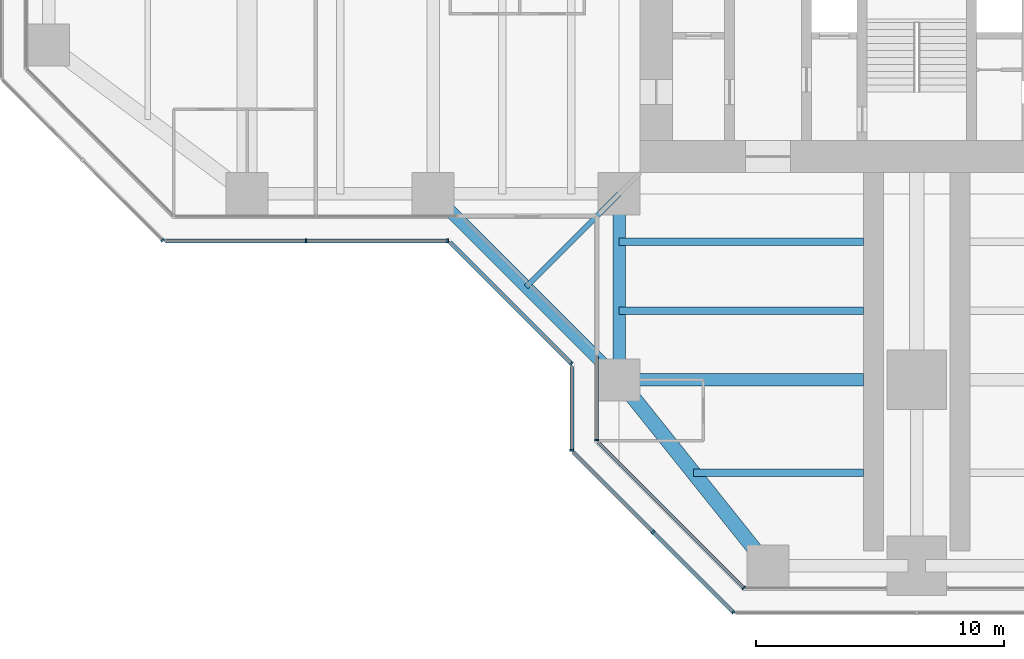
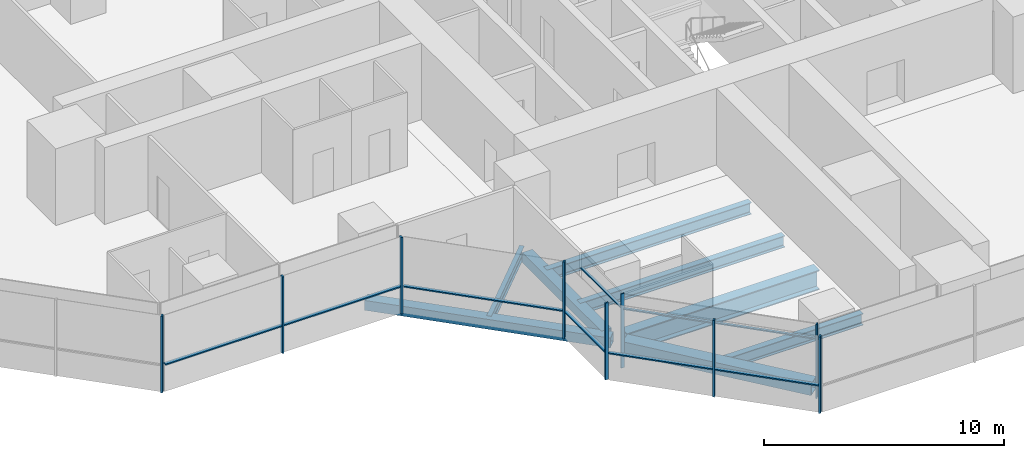
# One storey, part 2 of 20: 17 members, 8 beams, 7 elements without a shape of their own.
"""IFC4 building model written with IfcOpenShell, lengths in metres."""

from ifc_helpers import new_model, si_unit, direction, frame, origin, origin_2d, place, context, subcontext, project, spatial, rectangle, hollow_rectangle, i_section, extrude, material, material_profile, profile_set, type_object, element, aggregate, save


model = new_model("IFC4")

# Units and contexts
model_context = context("Model", 3, precision=1e-05, world=origin(), true_north=direction((0.0, 1.0)))
body_context = subcontext(model_context, "Body", "Model", "MODEL_VIEW")
ifc_project = project(units=[si_unit("LENGTHUNIT", "METRE"), si_unit("AREAUNIT", "SQUARE_METRE"), si_unit("VOLUMEUNIT", "CUBIC_METRE"), si_unit("PLANEANGLEUNIT", "RADIAN"), si_unit("MASSUNIT", "GRAM", prefix="KILO")], contexts=[model_context])

# Site, building, storey
site_placement = place(None, origin())
site = spatial("IfcSite", under=ifc_project, at=site_placement, CompositionType="ELEMENT")
building_placement = place(site_placement, origin())
building = spatial("IfcBuilding", under=site, at=building_placement, Name="Mizan Broadcast Tower", CompositionType="ELEMENT")
storey_placement = place(building_placement, frame((0.0, 0.0, 139.800048828125)))
storey = spatial("IfcBuildingStorey", under=building, at=storey_placement, Name="L31", CompositionType="ELEMENT", Elevation=139.800048828125)

# Beams
ifc_material_1 = material(Name="Steel S355", Category="steel")
ifc_material_profile_1 = material_profile(ifc_material_1, hollow_rectangle(XDim=0.5, YDim=0.5, WallThickness=0.030029296875, at=origin_2d()), Name="BOX 500x500x30")
ifc_profile_set_1 = profile_set([ifc_material_profile_1], Name="Steel S355")
beam_type_1 = type_object("IfcBeamType", Name="EDGE BEAM BOX 500x500x30", PredefinedType="SPANDREL", material=ifc_profile_set_1)
beam_1_placement = place(storey_placement, frame((-12.0, -12.449951171875, -0.380126953125), z_axis=(0.0, -1.0, 0.0), x_axis=(1.0, 0.0, 0.0)))
element("IfcBeam", 1, at=beam_1_placement, inside=storey, type_object=beam_type_1, Name="Edge beam BOX 500x500x30 L31 south arm", PredefinedType="SPANDREL", context=body_context, shape_type="SweptSolid", body=[
    extrude(hollow_rectangle(XDim=0.5, YDim=0.5, WallThickness=0.030029296875, at=origin_2d()), origin(), (0.0, 0.0, 1.0), 6.60009765625),
])
beam_2_placement = place(storey_placement, frame((-19.5, -12.0, -0.380126953125), z_axis=(0.707106781187, -0.707106781187, 0.0), x_axis=(0.707106781187, 0.707106781187, 0.0)))
element("IfcBeam", 2, at=beam_2_placement, inside=storey, type_object=beam_type_1, Name="Winter garden edge beam L31 W", PredefinedType="SPANDREL", context=body_context, shape_type="SweptSolid", body=[
    extrude(hollow_rectangle(XDim=0.5, YDim=0.5, WallThickness=0.030029296875, at=origin_2d()), origin(), (0.0, 0.0, 1.0), 10.606689453125),
])
ifc_material_2 = material(Name="Steel S355", Category="steel")
ifc_material_profile_2 = material_profile(ifc_material_2, hollow_rectangle(XDim=0.60009765625, YDim=0.60009765625, WallThickness=0.030029296875, at=origin_2d()), Name="BOX 600x600x30")
ifc_profile_set_2 = profile_set([ifc_material_profile_2], Name="Steel S355")
beam_type_2 = type_object("IfcBeamType", Name="EDGE BEAM BOX 600x600x30", PredefinedType="SPANDREL", material=ifc_profile_set_2)
beam_3_placement = place(storey_placement, frame((-11.639892578125, -19.949951171875, -0.429931640625), z_axis=(0.624673911726, -0.780885717636, 0.0), x_axis=(0.780885717636, 0.624673911726, 0.0)))
element("IfcBeam", 3, at=beam_3_placement, inside=storey, type_object=beam_type_2, Name="Edge beam BOX 600x600x30 L31 south arm", PredefinedType="SPANDREL", context=body_context, shape_type="SweptSolid", body=[
    extrude(hollow_rectangle(XDim=0.60009765625, YDim=0.60009765625, WallThickness=0.030029296875, at=origin_2d()), origin(), (0.0, 0.0, 1.0), 8.4521484375),
])
ifc_material_3 = material(Name="Steel S460", Category="steel")
ifc_material_profile_3 = material_profile(ifc_material_3, i_section(OverallWidth=0.5, OverallDepth=1.0, WebThickness=0.02490234375, FlangeThickness=0.050048828125, at=origin_2d()), Name="WPG 1000x500")
ifc_profile_set_3 = profile_set([ifc_material_profile_3], Name="Steel S460")
beam_type_3 = type_object("IfcBeamType", Name="GIRDER WPG 1000x500", PredefinedType="BEAM", material=ifc_profile_set_3)
beam_4_placement = place(storey_placement, frame((-11.408935546875, -19.5, -0.630126953125), z_axis=(1.0, 0.0, 0.0), x_axis=(0.0, 1.0, 0.0)))
element("IfcBeam", 4, at=beam_4_placement, inside=storey, type_object=beam_type_3, Name="Girder WPG 1000x500 L31 south arm", PredefinedType="BEAM", context=body_context, shape_type="SweptSolid", body=[
    extrude(i_section(OverallWidth=0.5, OverallDepth=1.0, WebThickness=0.02490234375, FlangeThickness=0.050048828125, at=origin_2d()), origin(), (0.0, 0.0, 1.0), 9.259033203125),
])

# Curtain wall, member
ifc_material_4 = material(Name="Aluminium framed glazing", Category="aluminium")
curtain_wall_type_1 = type_object("IfcCurtainWallType", Name="INNER SKIN MID ZONE", PredefinedType="USERDEFINED", material=ifc_material_4)
curtain_wall_1_placement = place(storey_placement, origin())
curtain_wall_1 = element("IfcCurtainWall", 5, at=curtain_wall_1_placement, inside=storey, type_object=curtain_wall_type_1, Name="Inner skin mid zone L31 S side", ObjectType="INNER SKIN MID ZONE", PredefinedType="USERDEFINED")
ifc_material_5 = material(Name="Aluminium, pale anodised", Category="aluminium")
ifc_material_profile_4 = material_profile(ifc_material_5, rectangle(XDim=0.159912109375, YDim=0.06005859375, at=origin_2d()), Name="MULLION 160x60")
ifc_profile_set_4 = profile_set([ifc_material_profile_4], Name="Aluminium, pale anodised")
member_type_1 = type_object("IfcMemberType", Name="INNER SKIN MULLION 60x160", PredefinedType="MULLION", material=ifc_profile_set_4)
member_1_placement = place(storey_placement, frame((-12.89990234375, -21.928466796875, 0.0), z_axis=(0.0, 0.0, 1.0), x_axis=(1.0, 0.0, 0.0)))
member_1 = element("IfcMember", 6, at=member_1_placement, type_object=member_type_1, Name="Inner skin mid zone L31 S side mullion 2", PredefinedType="MULLION", context=body_context, shape_type="SweptSolid", body=[
    extrude(rectangle(XDim=0.159912109375, YDim=0.06005859375, at=origin_2d()), origin(), (0.0, 0.0, 1.0), 3.77001953125),
])

curtain_wall_2_placement = place(storey_placement, origin())
curtain_wall_2 = element("IfcCurtainWall", 7, at=curtain_wall_2_placement, inside=storey, type_object=curtain_wall_type_1, Name="Inner skin mid zone L31 S chamfer", ObjectType="INNER SKIN MID ZONE", PredefinedType="USERDEFINED")
member_2_placement = place(storey_placement, frame((-6.979736328125, -27.87890625, 0.0), z_axis=(0.0, 0.0, 1.0), x_axis=(0.707106781187, 0.707106781187, 0.0)))
member_2 = element("IfcMember", 8, at=member_2_placement, type_object=member_type_1, Name="Inner skin mid zone L31 S chamfer mullion 2", PredefinedType="MULLION", context=body_context, shape_type="SweptSolid", body=[
    extrude(rectangle(XDim=0.159912109375, YDim=0.06005859375, at=origin_2d()), origin(), (0.0, 0.0, 1.0), 3.77001953125),
])

# Member
ifc_material_6 = material(Name="Aluminium, pale anodised", Category="aluminium")
ifc_material_profile_5 = material_profile(ifc_material_6, rectangle(XDim=0.1201171875, YDim=0.06005859375, at=origin_2d()), Name="TRANSOM 120x60")
ifc_profile_set_5 = profile_set([ifc_material_profile_5], Name="Aluminium, pale anodised")
member_type_2 = type_object("IfcMemberType", Name="INNER SKIN TRANSOM 60x120", PredefinedType="USERDEFINED", material=ifc_profile_set_5)
member_3_placement = place(storey_placement, frame((-12.89990234375, -18.56005859375, 3.030029296875), z_axis=(0.0, -1.0, 0.0), x_axis=(1.0, 0.0, 0.0)))
member_3 = element("IfcMember", 9, at=member_3_placement, type_object=member_type_2, Name="Inner skin mid zone L31 S side transom 1.1", ObjectType="TRANSOM", PredefinedType="USERDEFINED", context=body_context, shape_type="SweptSolid", body=[
    extrude(rectangle(XDim=0.1201171875, YDim=0.06005859375, at=origin_2d()), origin(), (0.0, 0.0, 1.0), 3.338623046875),
])

aggregate(curtain_wall_1, [member_1, member_3])

member_4_placement = place(storey_placement, frame((-12.857666015625, -22.0009765625, 3.030029296875), z_axis=(0.707106781187, -0.707106781187, 0.0), x_axis=(0.707106781187, 0.707106781187, 0.0)))
member_4 = element("IfcMember", 10, at=member_4_placement, type_object=member_type_2, Name="Inner skin mid zone L31 S chamfer transom 1.1", ObjectType="TRANSOM", PredefinedType="USERDEFINED", context=body_context, shape_type="SweptSolid", body=[
    extrude(rectangle(XDim=0.1201171875, YDim=0.06005859375, at=origin_2d()), origin(), (0.0, 0.0, 1.0), 8.28271484375),
])

aggregate(curtain_wall_2, [member_2, member_4])

# Curtain wall, member
ifc_material_7 = material(Name="Aluminium framed glazing", Category="aluminium")
curtain_wall_type_2 = type_object("IfcCurtainWallType", Name="OUTER SKIN", PredefinedType="USERDEFINED", material=ifc_material_7)
curtain_wall_3_placement = place(storey_placement, origin())
curtain_wall_3 = element("IfcCurtainWall", 11, at=curtain_wall_3_placement, inside=storey, type_object=curtain_wall_type_2, Name="Outer skin L31 W chamfer", ObjectType="OUTER SKIN", PredefinedType="USERDEFINED")
ifc_material_8 = material(Name="Aluminium, pale anodised", Category="aluminium")
ifc_material_profile_6 = material_profile(ifc_material_8, rectangle(XDim=0.159912109375, YDim=0.080078125, at=origin_2d()), Name="MULLION 160x80")
ifc_profile_set_6 = profile_set([ifc_material_profile_6], Name="Aluminium, pale anodised")
member_type_3 = type_object("IfcMemberType", Name="OUTER SKIN MULLION 80x160", PredefinedType="MULLION", material=ifc_profile_set_6)
member_5_placement = place(storey_placement, frame((-30.401123046875, -13.871826171875, 0.0), z_axis=(0.0, 0.0, 1.0), x_axis=(0.707106781187, 0.707106781187, 0.0)))
member_5 = element("IfcMember", 12, at=member_5_placement, type_object=member_type_3, Name="Outer skin L31 W chamfer mullion 3", PredefinedType="MULLION", context=body_context, shape_type="SweptSolid", body=[
    extrude(rectangle(XDim=0.159912109375, YDim=0.080078125, at=origin_2d()), origin(), (0.0, 0.0, 1.0), 3.89990234375),
])
aggregate(curtain_wall_3, [member_5])

# Curtain wall, members
curtain_wall_4_placement = place(storey_placement, origin())
curtain_wall_4 = element("IfcCurtainWall", 13, at=curtain_wall_4_placement, inside=storey, type_object=curtain_wall_type_2, Name="Outer skin L31 W side", ObjectType="OUTER SKIN", PredefinedType="USERDEFINED")
member_6_placement = place(storey_placement, frame((-24.622802734375, -13.89990234375, 0.0), z_axis=(0.0, 0.0, 1.0), x_axis=(0.0, 1.0, 0.0)))
member_6 = element("IfcMember", 14, at=member_6_placement, type_object=member_type_3, Name="Outer skin L31 W side mullion 2", PredefinedType="MULLION", context=body_context, shape_type="SweptSolid", body=[
    extrude(rectangle(XDim=0.159912109375, YDim=0.080078125, at=origin_2d()), origin(), (0.0, 0.0, 1.0), 3.89990234375),
])
member_7_placement = place(storey_placement, frame((-18.912841796875, -13.89990234375, 0.0), z_axis=(0.0, 0.0, 1.0), x_axis=(0.0, 1.0, 0.0)))
member_7 = element("IfcMember", 15, at=member_7_placement, type_object=member_type_3, Name="Outer skin L31 W side mullion 3", PredefinedType="MULLION", context=body_context, shape_type="SweptSolid", body=[
    extrude(rectangle(XDim=0.159912109375, YDim=0.080078125, at=origin_2d()), origin(), (0.0, 0.0, 1.0), 3.89990234375),
])

# Curtain wall, member
curtain_wall_5_placement = place(storey_placement, origin())
curtain_wall_5 = element("IfcCurtainWall", 16, at=curtain_wall_5_placement, inside=storey, type_object=curtain_wall_type_2, Name="Outer skin L31 W chamfer", ObjectType="OUTER SKIN", PredefinedType="USERDEFINED")
member_8_placement = place(storey_placement, frame((-13.92822265625, -18.844482421875, 0.0), z_axis=(0.0, 0.0, 1.0), x_axis=(0.707106781187, 0.707106781187, 0.0)))
member_8 = element("IfcMember", 17, at=member_8_placement, type_object=member_type_3, Name="Outer skin L31 W chamfer mullion 2", PredefinedType="MULLION", context=body_context, shape_type="SweptSolid", body=[
    extrude(rectangle(XDim=0.159912109375, YDim=0.080078125, at=origin_2d()), origin(), (0.0, 0.0, 1.0), 3.89990234375),
])

curtain_wall_6_placement = place(storey_placement, origin())
curtain_wall_6 = element("IfcCurtainWall", 18, at=curtain_wall_6_placement, inside=storey, type_object=curtain_wall_type_2, Name="Outer skin L31 S side", ObjectType="OUTER SKIN", PredefinedType="USERDEFINED")
member_9_placement = place(storey_placement, frame((-13.89990234375, -22.332763671875, 0.0), z_axis=(0.0, 0.0, 1.0), x_axis=(1.0, 0.0, 0.0)))
member_9 = element("IfcMember", 19, at=member_9_placement, type_object=member_type_3, Name="Outer skin L31 S side mullion 2", PredefinedType="MULLION", context=body_context, shape_type="SweptSolid", body=[
    extrude(rectangle(XDim=0.159912109375, YDim=0.080078125, at=origin_2d()), origin(), (0.0, 0.0, 1.0), 3.89990234375),
])

# Curtain wall, members
curtain_wall_7_placement = place(storey_placement, origin())
curtain_wall_7 = element("IfcCurtainWall", 20, at=curtain_wall_7_placement, inside=storey, type_object=curtain_wall_type_2, Name="Outer skin L31 S chamfer", ObjectType="OUTER SKIN", PredefinedType="USERDEFINED")
member_10_placement = place(storey_placement, frame((-10.636474609375, -25.636474609375, 0.0), z_axis=(0.0, 0.0, 1.0), x_axis=(0.707106781187, 0.707106781187, 0.0)))
member_10 = element("IfcMember", 21, at=member_10_placement, type_object=member_type_3, Name="Outer skin L31 S chamfer mullion 2", PredefinedType="MULLION", context=body_context, shape_type="SweptSolid", body=[
    extrude(rectangle(XDim=0.159912109375, YDim=0.080078125, at=origin_2d()), origin(), (0.0, 0.0, 1.0), 3.89990234375),
])
member_11_placement = place(storey_placement, frame((-7.401123046875, -28.871826171875, 0.0), z_axis=(0.0, 0.0, 1.0), x_axis=(0.707106781187, 0.707106781187, 0.0)))
member_11 = element("IfcMember", 22, at=member_11_placement, type_object=member_type_3, Name="Outer skin L31 S chamfer mullion 3", PredefinedType="MULLION", context=body_context, shape_type="SweptSolid", body=[
    extrude(rectangle(XDim=0.159912109375, YDim=0.080078125, at=origin_2d()), origin(), (0.0, 0.0, 1.0), 3.89990234375),
])

# Member
ifc_material_9 = material(Name="Aluminium, pale anodised", Category="aluminium")
ifc_material_profile_7 = material_profile(ifc_material_9, rectangle(XDim=0.159912109375, YDim=0.06005859375, at=origin_2d()), Name="TRANSOM 160x60")
ifc_profile_set_7 = profile_set([ifc_material_profile_7], Name="Aluminium, pale anodised")
member_type_4 = type_object("IfcMemberType", Name="OUTER SKIN TRANSOM 60x160", PredefinedType="USERDEFINED", material=ifc_profile_set_7)
member_12_placement = place(storey_placement, frame((-30.292724609375, -13.89990234375, 1.39990234375), z_axis=(1.0, 0.0, 0.0), x_axis=(0.0, 1.0, 0.0)))
member_12 = element("IfcMember", 23, at=member_12_placement, type_object=member_type_4, Name="Outer skin L31 W side transom 1.1", ObjectType="TRANSOM", PredefinedType="USERDEFINED", context=body_context, shape_type="SweptSolid", body=[
    extrude(rectangle(XDim=0.159912109375, YDim=0.06005859375, at=origin_2d()), origin(), (0.0, 0.0, 1.0), 5.6298828125),
])

member_13_placement = place(storey_placement, frame((-24.582763671875, -13.89990234375, 1.39990234375), z_axis=(1.0, 0.0, 0.0), x_axis=(0.0, 1.0, 0.0)))
member_13 = element("IfcMember", 24, at=member_13_placement, type_object=member_type_4, Name="Outer skin L31 W side transom 2.1", ObjectType="TRANSOM", PredefinedType="USERDEFINED", context=body_context, shape_type="SweptSolid", body=[
    extrude(rectangle(XDim=0.159912109375, YDim=0.06005859375, at=origin_2d()), origin(), (0.0, 0.0, 1.0), 5.6298828125),
])

aggregate(curtain_wall_4, [member_6, member_7, member_12, member_13])

member_14_placement = place(storey_placement, frame((-18.816162109375, -13.95654296875, 1.39990234375), z_axis=(0.707106781187, -0.707106781187, 0.0), x_axis=(0.707106781187, 0.707106781187, 0.0)))
member_14 = element("IfcMember", 25, at=member_14_placement, type_object=member_type_4, Name="Outer skin L31 W chamfer transom 1.1", ObjectType="TRANSOM", PredefinedType="USERDEFINED", context=body_context, shape_type="SweptSolid", body=[
    extrude(rectangle(XDim=0.159912109375, YDim=0.06005859375, at=origin_2d()), origin(), (0.0, 0.0, 1.0), 6.87255859375),
])

aggregate(curtain_wall_5, [member_8, member_14])

member_15_placement = place(storey_placement, frame((-13.89990234375, -18.952880859375, 1.39990234375), z_axis=(0.0, -1.0, 0.0), x_axis=(1.0, 0.0, 0.0)))
member_15 = element("IfcMember", 26, at=member_15_placement, type_object=member_type_4, Name="Outer skin L31 S side transom 1.1", ObjectType="TRANSOM", PredefinedType="USERDEFINED", context=body_context, shape_type="SweptSolid", body=[
    extrude(rectangle(XDim=0.159912109375, YDim=0.06005859375, at=origin_2d()), origin(), (0.0, 0.0, 1.0), 3.33984375),
])

aggregate(curtain_wall_6, [member_9, member_15])

member_16_placement = place(storey_placement, frame((-13.843505859375, -22.429443359375, 1.39990234375), z_axis=(0.707106781187, -0.707106781187, 0.0), x_axis=(0.707106781187, 0.707106781187, 0.0)))
member_16 = element("IfcMember", 27, at=member_16_placement, type_object=member_type_4, Name="Outer skin L31 S chamfer transom 1.1", ObjectType="TRANSOM", PredefinedType="USERDEFINED", context=body_context, shape_type="SweptSolid", body=[
    extrude(rectangle(XDim=0.159912109375, YDim=0.06005859375, at=origin_2d()), origin(), (0.0, 0.0, 1.0), 4.495361328125),
])

member_17_placement = place(storey_placement, frame((-10.608154296875, -25.664794921875, 1.39990234375), z_axis=(0.707106781187, -0.707106781187, 0.0), x_axis=(0.707106781187, 0.707106781187, 0.0)))
member_17 = element("IfcMember", 28, at=member_17_placement, type_object=member_type_4, Name="Outer skin L31 S chamfer transom 2.1", ObjectType="TRANSOM", PredefinedType="USERDEFINED", context=body_context, shape_type="SweptSolid", body=[
    extrude(rectangle(XDim=0.159912109375, YDim=0.06005859375, at=origin_2d()), origin(), (0.0, 0.0, 1.0), 4.495361328125),
])

aggregate(curtain_wall_7, [member_10, member_11, member_16, member_17])

# Beams
ifc_material_10 = material(Name="Steel S355", Category="steel")
ifc_material_profile_8 = material_profile(ifc_material_10, i_section(OverallWidth=0.300048828125, OverallDepth=0.590087890625, WebThickness=0.012939453125, FlangeThickness=0.02490234375, FilletRadius=0.027099609375, at=origin_2d()), Name="HEA 600")
ifc_profile_set_8 = profile_set([ifc_material_profile_8], Name="Steel S355")
beam_type_4 = type_object("IfcBeamType", Name="SECONDARY BEAM HEA 600", PredefinedType="JOIST", material=ifc_profile_set_8)
for number, where, z_axis, x_axis, name in (
    (29, (-12.0, -13.933349609375, -0.425048828125), (1.0, 0.0, 0.0), (0.0, 1.0, 0.0), "Secondary beam HEA 600 L31 south arm"),
    (30, (-12.0, -16.716552734375, -0.425048828125), (1.0, 0.0, 0.0), (0.0, 1.0, 0.0), "Secondary beam HEA 600 L31 south arm"),
):
    element("IfcBeam", number, at=place(storey_placement, frame(where, z_axis=z_axis, x_axis=x_axis)), inside=storey, type_object=beam_type_4, Name=name, PredefinedType="JOIST", context=body_context, shape_type="SweptSolid", body=[
        extrude(i_section(OverallWidth=0.300048828125, OverallDepth=0.590087890625, WebThickness=0.012939453125, FlangeThickness=0.02490234375, FilletRadius=0.027099609375, at=origin_2d()), origin(), (0.0, 0.0, 1.0), 9.85009765625),
    ])
beam_5_placement = place(storey_placement, frame((-9.0, -23.25, -0.425048828125), z_axis=(1.0, 0.0, 0.0), x_axis=(0.0, 1.0, 0.0)))
element("IfcBeam", 31, at=beam_5_placement, inside=storey, type_object=beam_type_4, Name="Secondary beam HEA 600 L31 south arm", PredefinedType="JOIST", context=body_context, shape_type="SweptSolid", body=[
    extrude(i_section(OverallWidth=0.300048828125, OverallDepth=0.590087890625, WebThickness=0.012939453125, FlangeThickness=0.02490234375, FilletRadius=0.027099609375, at=origin_2d()), origin(), (0.0, 0.0, 1.0), 6.85009765625),
])
ifc_material_11 = material(Name="Steel S355", Category="steel")
ifc_material_profile_9 = material_profile(ifc_material_11, i_section(OverallWidth=0.2099609375, OverallDepth=0.550048828125, WebThickness=0.010986328125, FlangeThickness=0.01708984375, FilletRadius=0.02392578125, at=origin_2d()), Name="IPE 550")
ifc_profile_set_9 = profile_set([ifc_material_profile_9], Name="Steel S355")
beam_type_5 = type_object("IfcBeamType", Name="SECONDARY BEAM IPE 550", PredefinedType="JOIST", material=ifc_profile_set_9)
beam_6_placement = place(storey_placement, frame((-12.0, -12.0, -0.405029296875), z_axis=(-0.707106781187, -0.707106781187, 0.0), x_axis=(0.707106781187, -0.707106781187, 0.0)))
element("IfcBeam", 32, at=beam_6_placement, inside=storey, type_object=beam_type_5, Name="Winter garden beam L31 W", PredefinedType="JOIST", context=body_context, shape_type="SweptSolid", body=[
    extrude(i_section(OverallWidth=0.2099609375, OverallDepth=0.550048828125, WebThickness=0.010986328125, FlangeThickness=0.01708984375, FilletRadius=0.02392578125, at=origin_2d()), origin(), (0.0, 0.0, 1.0), 5.30322265625),
])

save(model, "model.ifc")
